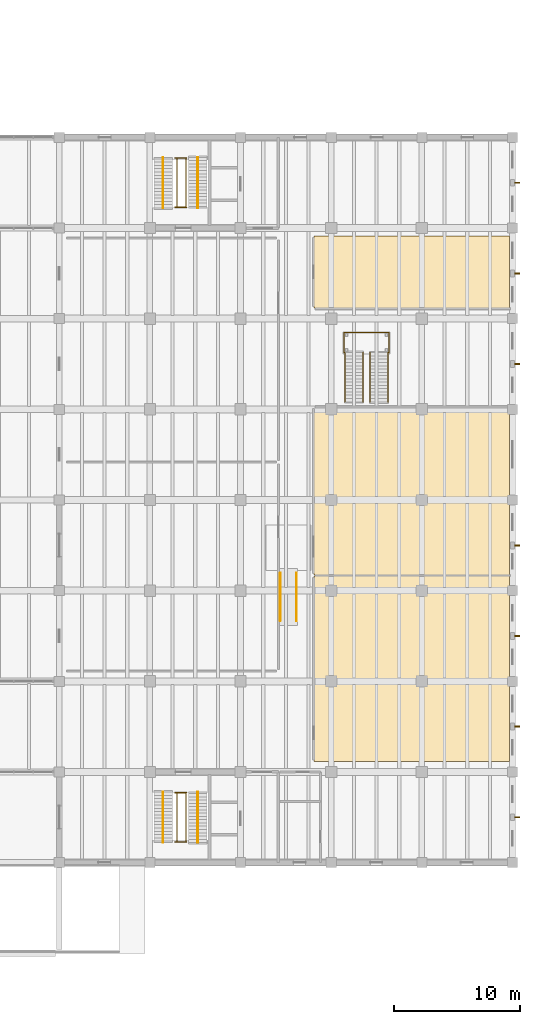
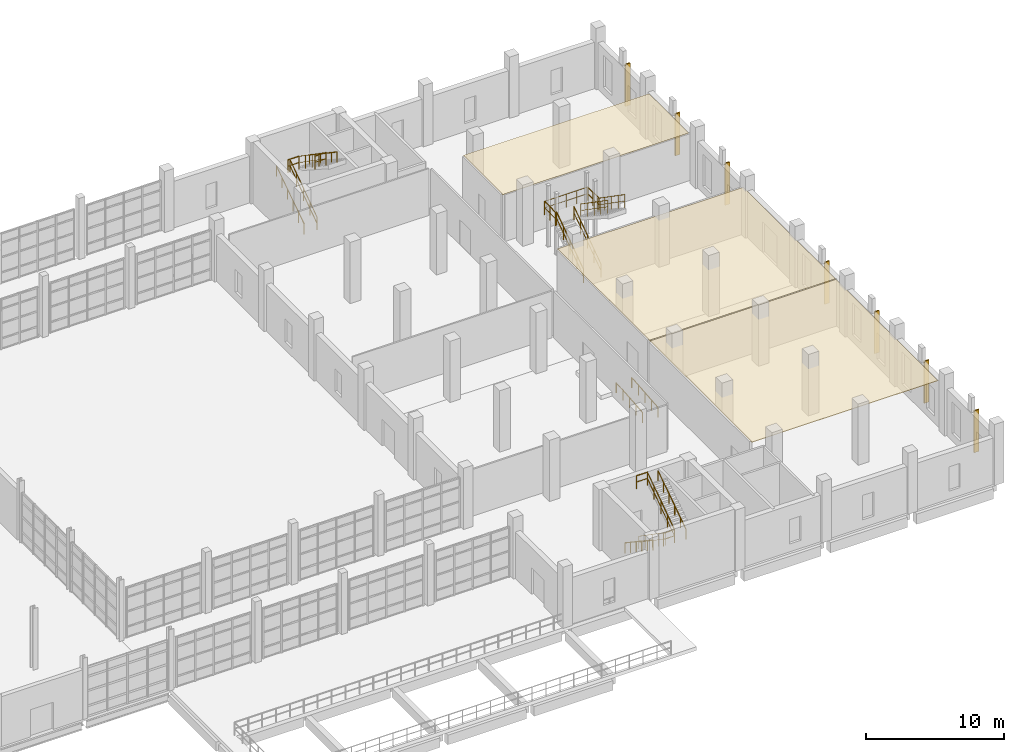
# One storey, part 78 of 79: 21 railings, 7 shading devices, 3 coverings.
"""IFC4 building model written with IfcOpenShell, lengths in metres."""

from ifc_helpers import new_model, si_unit, direction, frame, origin, origin_2d, place, context, subcontext, project, spatial, polyline, rectangle, circle, outline, extrude, material, layer, layer_set, material_profile, profile_set, type_object, element, save


model = new_model("IFC4")

# Units and contexts
model_context = context("Model", 3, precision=1e-05, world=origin(), true_north=direction((0.0, 1.0)))
body_context = subcontext(model_context, "Body", "Model", "MODEL_VIEW")
ifc_project = project(units=[si_unit("LENGTHUNIT", "METRE"), si_unit("AREAUNIT", "SQUARE_METRE"), si_unit("VOLUMEUNIT", "CUBIC_METRE"), si_unit("PLANEANGLEUNIT", "RADIAN"), si_unit("MASSUNIT", "GRAM", prefix="KILO")], contexts=[model_context])

# Site, building, storey
site_placement = place(None, origin())
site = spatial("IfcSite", under=ifc_project, at=site_placement, CompositionType="ELEMENT")
building_placement = place(site_placement, origin())
building = spatial("IfcBuilding", under=site, at=building_placement, Name="Qiaolan Assembly House", CompositionType="ELEMENT")
storey_placement = place(building_placement, origin())
storey = spatial("IfcBuildingStorey", under=building, at=storey_placement, Name="L00", CompositionType="ELEMENT", Elevation=0.0)

# Coverings
ifc_material_1 = material(Name="Gypsum plasterboard acoustic ceiling")
ifc_layer_1 = layer(ifc_material_1, 0.044921875)
ifc_layer_set_1 = layer_set([ifc_layer_1], Name="Gypsum plasterboard acoustic ceiling")
covering_type_1 = type_object("IfcCoveringType", Name="COV-CEIL-ACOUSTIC", PredefinedType="CEILING", material=ifc_layer_set_1)
covering_1_placement = place(storey_placement, frame((0.0, 0.0, 4.074951171875)))
element("IfcCovering", 1, at=covering_1_placement, inside=storey, type_object=covering_type_1, Name="Coffer ceiling Municipal Public Archive Search & Reference Room", PredefinedType="CEILING", context=body_context, shape_type="SweptSolid", body=[
    extrude(outline(polyline([(157.0400390625, 36.840087890625), (172.550048828125, 36.840087890625), (172.550048828125, 51.56005859375), (157.0400390625, 51.56005859375), (157.0400390625, 36.840087890625)])), origin(), (0.0, 0.0, 1.0), 0.045166015625),
])
covering_2_placement = place(storey_placement, frame((0.0, 0.0, 4.074951171875)))
element("IfcCovering", 2, at=covering_2_placement, inside=storey, type_object=covering_type_1, Name="Coffer ceiling Cataloguing, Acquisition & Bindery Workshop", PredefinedType="CEILING", context=body_context, shape_type="SweptSolid", body=[
    extrude(outline(polyline([(157.0400390625, 72.840087890625), (172.550048828125, 72.840087890625), (172.550048828125, 78.56005859375), (157.0400390625, 78.56005859375), (157.0400390625, 72.840087890625)])), origin(), (0.0, 0.0, 1.0), 0.045166015625),
])
ifc_material_2 = material(Name="Acoustic oak panelling")
ifc_layer_2 = layer(ifc_material_2, 0.06396484375)
ifc_layer_set_2 = layer_set([ifc_layer_2], Name="Acoustic oak panelling")
covering_type_2 = type_object("IfcCoveringType", Name="COV-CEIL-COFFERED", PredefinedType="CEILING", material=ifc_layer_set_2)
covering_3_placement = place(storey_placement, frame((0.0, 0.0, 4.055908203125)))
element("IfcCovering", 3, at=covering_3_placement, inside=storey, type_object=covering_type_2, Name="Coffer ceiling Civic Gazetteer & Periodicals Reading Hall", PredefinedType="CEILING", context=body_context, shape_type="SweptSolid", body=[
    extrude(outline(polyline([(157.0400390625, 51.639892578125), (172.550048828125, 51.639892578125), (172.550048828125, 64.9599609375), (157.0400390625, 64.9599609375), (157.0400390625, 51.639892578125)])), origin(), (0.0, 0.0, 1.0), 0.064208984375),
])

# Railings
ifc_material_3 = material(Name="Anodised bronze aluminium", Category="aluminium")
railing_type_1 = type_object("IfcRailingType", Name="RAL-GUARD-GALLERY-1200", PredefinedType="BALUSTRADE", material=ifc_material_3)
for number, where, name in (
    (4, (159.47998046875, 65.39990234375, 0.0), "GR-02 library flight guard FLT-ST-LB1-1-L"),
    (5, (160.919921875, 65.39990234375, 0.0), "GR-02 library flight guard FLT-ST-LB1-1-R"),
):
    element("IfcRailing", number, at=place(storey_placement, frame(where)), inside=storey, type_object=railing_type_1, Name=name, PredefinedType="BALUSTRADE", context=body_context, shape_type="SweptSolid", body=[
        extrude(circle(Radius=0.02392578125, at=origin_2d()), frame((0.0, 0.0, 1.17578125), z_axis=(0.0, 0.822207014252, 0.569188567801), x_axis=(-1.0, 0.0, 0.0)), (0.0, 0.0, 1.0), 4.743408203125),
        extrude(circle(Radius=0.01611328125, at=origin_2d()), frame((0.0, 0.0, 0.60009765625), z_axis=(0.0, 0.822207014252, 0.569188567801), x_axis=(-1.0, 0.0, 0.0)), (0.0, 0.0, 1.0), 4.743408203125),
        extrude(circle(Radius=0.02099609375, at=origin_2d()), origin(), (0.0, 0.0, 1.0), 1.15185546875),
        extrude(circle(Radius=0.02099609375, at=origin_2d()), frame((0.0, 0.97509765625, 0.675048828125)), (0.0, 0.0, 1.0), 1.15185546875),
        extrude(circle(Radius=0.02099609375, at=origin_2d()), frame((0.0, 1.9501953125, 1.35009765625)), (0.0, 0.0, 1.0), 1.15185546875),
        extrude(circle(Radius=0.02099609375, at=origin_2d()), frame((0.0, 2.925048828125, 2.02490234375)), (0.0, 0.0, 1.0), 1.15185546875),
        extrude(circle(Radius=0.02099609375, at=origin_2d()), frame((0.0, 3.900146484375, 2.699951171875)), (0.0, 0.0, 1.0), 1.15185546875),
    ])
for number, where, name in (
    (6, (161.47998046875, 69.300048828125, 2.699951171875), "GR-02 library flight guard FLT-ST-LB1-2-L"),
    (7, (162.919921875, 69.300048828125, 2.699951171875), "GR-02 library flight guard FLT-ST-LB1-2-R"),
):
    element("IfcRailing", number, at=place(storey_placement, frame(where)), inside=storey, type_object=railing_type_1, Name=name, PredefinedType="BALUSTRADE", context=body_context, shape_type="SweptSolid", body=[
        extrude(circle(Radius=0.02392578125, at=origin_2d()), frame((0.0, 0.0, 1.17578125), z_axis=(0.0, -0.822207014252, 0.569188567801), x_axis=(1.0, 0.0, 0.0)), (0.0, 0.0, 1.0), 4.743408203125),
        extrude(circle(Radius=0.01611328125, at=origin_2d()), frame((0.0, 0.0, 0.60009765625), z_axis=(0.0, -0.822207014252, 0.569188567801), x_axis=(1.0, 0.0, 0.0)), (0.0, 0.0, 1.0), 4.743408203125),
        extrude(circle(Radius=0.02099609375, at=origin_2d()), origin(), (0.0, 0.0, 1.0), 1.15185546875),
        extrude(circle(Radius=0.02099609375, at=origin_2d()), frame((0.0, -0.97509765625, 0.675048828125)), (0.0, 0.0, 1.0), 1.15185546875),
        extrude(circle(Radius=0.02099609375, at=origin_2d()), frame((0.0, -1.9501953125, 1.35009765625)), (0.0, 0.0, 1.0), 1.15185546875),
        extrude(circle(Radius=0.02099609375, at=origin_2d()), frame((0.0, -2.925048828125, 2.02490234375)), (0.0, 0.0, 1.0), 1.15185546875),
        extrude(circle(Radius=0.02099609375, at=origin_2d()), frame((0.0, -3.900146484375, 2.699951171875)), (0.0, 0.0, 1.0), 1.15185546875),
    ])
railing_1_placement = place(storey_placement, frame((159.39990234375, 69.300048828125, 2.699951171875)))
element("IfcRailing", 8, at=railing_1_placement, inside=storey, type_object=railing_type_1, Name="GR-02 library mid-landing guard ST-LB1 seg 1", PredefinedType="BALUSTRADE", context=body_context, shape_type="SweptSolid", body=[
    extrude(circle(Radius=0.02392578125, at=origin_2d()), frame((0.0, 0.0, 1.17578125), z_axis=(0.0, 1.0, 0.0), x_axis=(-1.0, 0.0, 0.0)), (0.0, 0.0, 1.0), 1.599853515625),
    extrude(circle(Radius=0.01611328125, at=origin_2d()), frame((0.0, 0.0, 0.60009765625), z_axis=(0.0, 1.0, 0.0), x_axis=(-1.0, 0.0, 0.0)), (0.0, 0.0, 1.0), 1.599853515625),
    extrude(circle(Radius=0.02099609375, at=origin_2d()), origin(), (0.0, 0.0, 1.0), 1.15185546875),
    extrude(circle(Radius=0.02099609375, at=origin_2d()), frame((0.0, 0.7998046875, 0.0)), (0.0, 0.0, 1.0), 1.15185546875),
    extrude(circle(Radius=0.02099609375, at=origin_2d()), frame((0.0, 1.599853515625, 0.0)), (0.0, 0.0, 1.0), 1.15185546875),
])
railing_2_placement = place(storey_placement, frame((159.39990234375, 70.89990234375, 2.699951171875)))
element("IfcRailing", 9, at=railing_2_placement, inside=storey, type_object=railing_type_1, Name="GR-02 library mid-landing guard ST-LB1 seg 2", PredefinedType="BALUSTRADE", context=body_context, shape_type="SweptSolid", body=[
    extrude(circle(Radius=0.02392578125, at=origin_2d()), frame((0.0, 0.0, 1.17578125), z_axis=(1.0, 0.0, 0.0), x_axis=(0.0, 1.0, 0.0)), (0.0, 0.0, 1.0), 3.60009765625),
    extrude(circle(Radius=0.01611328125, at=origin_2d()), frame((0.0, 0.0, 0.60009765625), z_axis=(1.0, 0.0, 0.0), x_axis=(0.0, 1.0, 0.0)), (0.0, 0.0, 1.0), 3.60009765625),
    extrude(circle(Radius=0.02099609375, at=origin_2d()), origin(), (0.0, 0.0, 1.0), 1.15185546875),
    extrude(circle(Radius=0.02099609375, at=origin_2d()), frame((0.89990234375, 0.0, 0.0)), (0.0, 0.0, 1.0), 1.15185546875),
    extrude(circle(Radius=0.02099609375, at=origin_2d()), frame((1.800048828125, 0.0, 0.0)), (0.0, 0.0, 1.0), 1.15185546875),
    extrude(circle(Radius=0.02099609375, at=origin_2d()), frame((2.7001953125, 0.0, 0.0)), (0.0, 0.0, 1.0), 1.15185546875),
    extrude(circle(Radius=0.02099609375, at=origin_2d()), frame((3.60009765625, 0.0, 0.0)), (0.0, 0.0, 1.0), 1.15185546875),
])
railing_3_placement = place(storey_placement, frame((163.0, 70.89990234375, 2.699951171875)))
element("IfcRailing", 10, at=railing_3_placement, inside=storey, type_object=railing_type_1, Name="GR-02 library mid-landing guard ST-LB1 seg 3", PredefinedType="BALUSTRADE", context=body_context, shape_type="SweptSolid", body=[
    extrude(circle(Radius=0.02392578125, at=origin_2d()), frame((0.0, 0.0, 1.17578125), z_axis=(0.0, -1.0, 0.0), x_axis=(1.0, 0.0, 0.0)), (0.0, 0.0, 1.0), 1.599853515625),
    extrude(circle(Radius=0.01611328125, at=origin_2d()), frame((0.0, 0.0, 0.60009765625), z_axis=(0.0, -1.0, 0.0), x_axis=(1.0, 0.0, 0.0)), (0.0, 0.0, 1.0), 1.599853515625),
    extrude(circle(Radius=0.02099609375, at=origin_2d()), origin(), (0.0, 0.0, 1.0), 1.15185546875),
    extrude(circle(Radius=0.02099609375, at=origin_2d()), frame((0.0, -0.7998046875, 0.0)), (0.0, 0.0, 1.0), 1.15185546875),
    extrude(circle(Radius=0.02099609375, at=origin_2d()), frame((0.0, -1.599853515625, 0.0)), (0.0, 0.0, 1.0), 1.15185546875),
])
railing_type_2 = type_object("IfcRailingType", Name="RAL-GUARD-STAIRWELL-1150", PredefinedType="GUARDRAIL", material=ifc_material_3)
railing_4_placement = place(storey_placement, frame((146.139892578125, 34.35009765625, 0.0)))
element("IfcRailing", 11, at=railing_4_placement, inside=storey, type_object=railing_type_2, Name="GR-01 stair inner-well guard FLT-CORE-E-L00-1", PredefinedType="GUARDRAIL", context=body_context, shape_type="SweptSolid", body=[
    extrude(circle(Radius=0.02392578125, at=origin_2d()), frame((0.0, 0.0, 1.1259765625), z_axis=(0.0, -0.822207014252, 0.569188567801), x_axis=(1.0, 0.0, 0.0)), (0.0, 0.0, 1.0), 4.743408203125),
    extrude(circle(Radius=0.01611328125, at=origin_2d()), frame((0.0, 0.0, 0.574951171875), z_axis=(0.0, -0.822207014252, 0.569188567801), x_axis=(1.0, 0.0, 0.0)), (0.0, 0.0, 1.0), 4.743408203125),
    extrude(circle(Radius=0.02099609375, at=origin_2d()), origin(), (0.0, 0.0, 1.0), 1.101806640625),
    extrude(circle(Radius=0.02099609375, at=origin_2d()), frame((0.0, -0.97509765625, 0.675048828125)), (0.0, 0.0, 1.0), 1.101806640625),
    extrude(circle(Radius=0.02099609375, at=origin_2d()), frame((0.0, -1.9501953125, 1.35009765625)), (0.0, 0.0, 1.0), 1.101806640625),
    extrude(circle(Radius=0.02099609375, at=origin_2d()), frame((0.0, -2.925048828125, 2.02490234375)), (0.0, 0.0, 1.0), 1.101806640625),
    extrude(circle(Radius=0.02099609375, at=origin_2d()), frame((0.0, -3.900146484375, 2.699951171875)), (0.0, 0.0, 1.0), 1.101806640625),
])
railing_5_placement = place(storey_placement, frame((146.8798828125, 30.449951171875, 2.699951171875)))
element("IfcRailing", 12, at=railing_5_placement, inside=storey, type_object=railing_type_2, Name="GR-01 stair inner-well guard FLT-CORE-E-L00-2", PredefinedType="GUARDRAIL", context=body_context, shape_type="SweptSolid", body=[
    extrude(circle(Radius=0.02392578125, at=origin_2d()), frame((0.0, 0.0, 1.1259765625), z_axis=(0.0, 0.822207014252, 0.569188567801), x_axis=(-1.0, 0.0, 0.0)), (0.0, 0.0, 1.0), 4.743408203125),
    extrude(circle(Radius=0.01611328125, at=origin_2d()), frame((0.0, 0.0, 0.574951171875), z_axis=(0.0, 0.822207014252, 0.569188567801), x_axis=(-1.0, 0.0, 0.0)), (0.0, 0.0, 1.0), 4.743408203125),
    extrude(circle(Radius=0.02099609375, at=origin_2d()), origin(), (0.0, 0.0, 1.0), 1.101806640625),
    extrude(circle(Radius=0.02099609375, at=origin_2d()), frame((0.0, 0.97509765625, 0.675048828125)), (0.0, 0.0, 1.0), 1.101806640625),
    extrude(circle(Radius=0.02099609375, at=origin_2d()), frame((0.0, 1.9501953125, 1.35009765625)), (0.0, 0.0, 1.0), 1.101806640625),
    extrude(circle(Radius=0.02099609375, at=origin_2d()), frame((0.0, 2.925048828125, 2.02490234375)), (0.0, 0.0, 1.0), 1.101806640625),
    extrude(circle(Radius=0.02099609375, at=origin_2d()), frame((0.0, 3.900146484375, 2.699951171875)), (0.0, 0.0, 1.0), 1.101806640625),
])
for number, where, name in (
    (13, (145.97998046875, 30.449951171875, 2.699951171875), "GR-01 stairwell landing guard CORE-E L00-1"),
    (14, (145.97998046875, 34.35009765625, 5.39990234375), "GR-01 stairwell landing guard CORE-E L00-2"),
):
    element("IfcRailing", number, at=place(storey_placement, frame(where)), inside=storey, type_object=railing_type_2, Name=name, PredefinedType="GUARDRAIL", context=body_context, shape_type="SweptSolid", body=[
        extrude(circle(Radius=0.02392578125, at=origin_2d()), frame((0.0, 0.0, 1.1259765625), z_axis=(1.0, 0.0, 0.0), x_axis=(0.0, 1.0, 0.0)), (0.0, 0.0, 1.0), 0.919921875),
        extrude(circle(Radius=0.01611328125, at=origin_2d()), frame((0.0, 0.0, 0.574951171875), z_axis=(1.0, 0.0, 0.0), x_axis=(0.0, 1.0, 0.0)), (0.0, 0.0, 1.0), 0.919921875),
        extrude(circle(Radius=0.02099609375, at=origin_2d()), origin(), (0.0, 0.0, 1.0), 1.101806640625),
        extrude(circle(Radius=0.02099609375, at=origin_2d()), frame((0.919921875, 0.0, 0.0)), (0.0, 0.0, 1.0), 1.101806640625),
    ])
railing_6_placement = place(storey_placement, frame((146.139892578125, 80.85009765625, 0.0)))
element("IfcRailing", 15, at=railing_6_placement, inside=storey, type_object=railing_type_2, Name="GR-01 stair inner-well guard FLT-CORE-F-L00-1", PredefinedType="GUARDRAIL", context=body_context, shape_type="SweptSolid", body=[
    extrude(circle(Radius=0.02392578125, at=origin_2d()), frame((0.0, 0.0, 1.1259765625), z_axis=(0.0, 0.8221903387, 0.569212655295), x_axis=(-1.0, 0.0, 0.0)), (0.0, 0.0, 1.0), 4.743408203125),
    extrude(circle(Radius=0.01611328125, at=origin_2d()), frame((0.0, 0.0, 0.574951171875), z_axis=(0.0, 0.8221903387, 0.569212655295), x_axis=(-1.0, 0.0, 0.0)), (0.0, 0.0, 1.0), 4.743408203125),
    extrude(circle(Radius=0.02099609375, at=origin_2d()), origin(), (0.0, 0.0, 1.0), 1.101806640625),
    extrude(circle(Radius=0.02099609375, at=origin_2d()), frame((0.0, 0.97509765625, 0.675048828125)), (0.0, 0.0, 1.0), 1.101806640625),
    extrude(circle(Radius=0.02099609375, at=origin_2d()), frame((0.0, 1.949951171875, 1.35009765625)), (0.0, 0.0, 1.0), 1.101806640625),
    extrude(circle(Radius=0.02099609375, at=origin_2d()), frame((0.0, 2.9248046875, 2.02490234375)), (0.0, 0.0, 1.0), 1.101806640625),
    extrude(circle(Radius=0.02099609375, at=origin_2d()), frame((0.0, 3.89990234375, 2.699951171875)), (0.0, 0.0, 1.0), 1.101806640625),
])
railing_7_placement = place(storey_placement, frame((146.8798828125, 84.75, 2.699951171875)))
element("IfcRailing", 16, at=railing_7_placement, inside=storey, type_object=railing_type_2, Name="GR-01 stair inner-well guard FLT-CORE-F-L00-2", PredefinedType="GUARDRAIL", context=body_context, shape_type="SweptSolid", body=[
    extrude(circle(Radius=0.02392578125, at=origin_2d()), frame((0.0, 0.0, 1.1259765625), z_axis=(0.0, -0.8221903387, 0.569212655295), x_axis=(1.0, 0.0, 0.0)), (0.0, 0.0, 1.0), 4.743408203125),
    extrude(circle(Radius=0.01611328125, at=origin_2d()), frame((0.0, 0.0, 0.574951171875), z_axis=(0.0, -0.8221903387, 0.569212655295), x_axis=(1.0, 0.0, 0.0)), (0.0, 0.0, 1.0), 4.743408203125),
    extrude(circle(Radius=0.02099609375, at=origin_2d()), origin(), (0.0, 0.0, 1.0), 1.101806640625),
    extrude(circle(Radius=0.02099609375, at=origin_2d()), frame((0.0, -0.97509765625, 0.675048828125)), (0.0, 0.0, 1.0), 1.101806640625),
    extrude(circle(Radius=0.02099609375, at=origin_2d()), frame((0.0, -1.949951171875, 1.35009765625)), (0.0, 0.0, 1.0), 1.101806640625),
    extrude(circle(Radius=0.02099609375, at=origin_2d()), frame((0.0, -2.9248046875, 2.02490234375)), (0.0, 0.0, 1.0), 1.101806640625),
    extrude(circle(Radius=0.02099609375, at=origin_2d()), frame((0.0, -3.89990234375, 2.699951171875)), (0.0, 0.0, 1.0), 1.101806640625),
])
for number, where, name in (
    (17, (145.97998046875, 84.75, 2.699951171875), "GR-01 stairwell landing guard CORE-F L00-1"),
    (18, (145.97998046875, 80.85009765625, 5.39990234375), "GR-01 stairwell landing guard CORE-F L00-2"),
):
    element("IfcRailing", number, at=place(storey_placement, frame(where)), inside=storey, type_object=railing_type_2, Name=name, PredefinedType="GUARDRAIL", context=body_context, shape_type="SweptSolid", body=[
        extrude(circle(Radius=0.02392578125, at=origin_2d()), frame((0.0, 0.0, 1.1259765625), z_axis=(1.0, 0.0, 0.0), x_axis=(0.0, 1.0, 0.0)), (0.0, 0.0, 1.0), 0.919921875),
        extrude(circle(Radius=0.01611328125, at=origin_2d()), frame((0.0, 0.0, 0.574951171875), z_axis=(1.0, 0.0, 0.0), x_axis=(0.0, 1.0, 0.0)), (0.0, 0.0, 1.0), 0.919921875),
        extrude(circle(Radius=0.02099609375, at=origin_2d()), origin(), (0.0, 0.0, 1.0), 1.101806640625),
        extrude(circle(Radius=0.02099609375, at=origin_2d()), frame((0.919921875, 0.0, 0.0)), (0.0, 0.0, 1.0), 1.101806640625),
    ])
railing_type_3 = type_object("IfcRailingType", Name="RAL-HANDRAIL-RAMP-900", PredefinedType="HANDRAIL", material=ifc_material_3)
for number, where, name in (
    (19, (154.35498046875, 48.0, 0.028076171875), "HR-02 accessible dais ramp handrail RMP-ACC-L1-L"),
    (20, (155.64501953125, 48.0, 0.028076171875), "HR-02 accessible dais ramp handrail RMP-ACC-L1-R"),
):
    element("IfcRailing", number, at=place(storey_placement, frame(where)), inside=storey, type_object=railing_type_3, Name=name, PredefinedType="HANDRAIL", context=body_context, shape_type="SweptSolid", body=[
        extrude(circle(Radius=0.02392578125, at=origin_2d()), frame((0.0, 0.0, 0.8759765625), z_axis=(0.0, 0.996816296613, 0.079732495296), x_axis=(-1.0, 0.0, 0.0)), (0.0, 0.0, 1.0), 3.812255859375),
        extrude(circle(Radius=0.02099609375, at=origin_2d()), origin(), (0.0, 0.0, 1.0), 0.851806640625),
        extrude(circle(Radius=0.02099609375, at=origin_2d()), frame((0.0, 0.949951171875, 0.075927734375)), (0.0, 0.0, 1.0), 0.851806640625),
        extrude(circle(Radius=0.02099609375, at=origin_2d()), frame((0.0, 1.89990234375, 0.15185546875)), (0.0, 0.0, 1.0), 0.851806640625),
        extrude(circle(Radius=0.02099609375, at=origin_2d()), frame((0.0, 2.85009765625, 0.22802734375)), (0.0, 0.0, 1.0), 0.851806640625),
        extrude(circle(Radius=0.02099609375, at=origin_2d()), frame((0.0, 3.800048828125, 0.303955078125)), (0.0, 0.0, 1.0), 0.851806640625),
    ])
railing_type_4 = type_object("IfcRailingType", Name="RAL-HANDRAIL-STAIR-920", PredefinedType="HANDRAIL", material=ifc_material_3)
railing_8_placement = place(storey_placement, frame((145.050048828125, 34.409912109375, 0.0)))
element("IfcRailing", 21, at=railing_8_placement, inside=storey, type_object=railing_type_4, Name="HR-01 stair handrail FLT-CORE-E-L00-1", PredefinedType="HANDRAIL", context=body_context, shape_type="SweptSolid", body=[
    extrude(circle(Radius=0.02392578125, at=origin_2d()), frame((0.0, 0.0, 0.89599609375), z_axis=(0.0, -0.830145127286, 0.557547368071), x_axis=(1.0, 0.0, 0.0)), (0.0, 0.0, 1.0), 4.842529296875),
    extrude(circle(Radius=0.02099609375, at=origin_2d()), origin(), (0.0, 0.0, 1.0), 0.871826171875),
    extrude(circle(Radius=0.02099609375, at=origin_2d()), frame((0.0, -0.803955078125, 0.5400390625)), (0.0, 0.0, 1.0), 0.871826171875),
    extrude(circle(Radius=0.02099609375, at=origin_2d()), frame((0.0, -1.60791015625, 1.080078125)), (0.0, 0.0, 1.0), 0.871826171875),
    extrude(circle(Radius=0.02099609375, at=origin_2d()), frame((0.0, -2.412109375, 1.619873046875)), (0.0, 0.0, 1.0), 0.871826171875),
    extrude(circle(Radius=0.02099609375, at=origin_2d()), frame((0.0, -3.216064453125, 2.159912109375)), (0.0, 0.0, 1.0), 0.871826171875),
    extrude(circle(Radius=0.02099609375, at=origin_2d()), frame((0.0, -4.02001953125, 2.699951171875)), (0.0, 0.0, 1.0), 0.871826171875),
])
for number, where, name in (
    (22, (147.800048828125, 30.389892578125, 2.699951171875), "HR-01 stair handrail FLT-CORE-E-L00-2"),
    (23, (145.050048828125, 80.7900390625, 0.0), "HR-01 stair handrail FLT-CORE-F-L00-1"),
):
    element("IfcRailing", number, at=place(storey_placement, frame(where)), inside=storey, type_object=railing_type_4, Name=name, PredefinedType="HANDRAIL", context=body_context, shape_type="SweptSolid", body=[
        extrude(circle(Radius=0.02392578125, at=origin_2d()), frame((0.0, 0.0, 0.89599609375), z_axis=(0.0, 0.830145127286, 0.557547368071), x_axis=(-1.0, 0.0, 0.0)), (0.0, 0.0, 1.0), 4.842529296875),
        extrude(circle(Radius=0.02099609375, at=origin_2d()), origin(), (0.0, 0.0, 1.0), 0.871826171875),
        extrude(circle(Radius=0.02099609375, at=origin_2d()), frame((0.0, 0.803955078125, 0.5400390625)), (0.0, 0.0, 1.0), 0.871826171875),
        extrude(circle(Radius=0.02099609375, at=origin_2d()), frame((0.0, 1.60791015625, 1.080078125)), (0.0, 0.0, 1.0), 0.871826171875),
        extrude(circle(Radius=0.02099609375, at=origin_2d()), frame((0.0, 2.412109375, 1.619873046875)), (0.0, 0.0, 1.0), 0.871826171875),
        extrude(circle(Radius=0.02099609375, at=origin_2d()), frame((0.0, 3.216064453125, 2.159912109375)), (0.0, 0.0, 1.0), 0.871826171875),
        extrude(circle(Radius=0.02099609375, at=origin_2d()), frame((0.0, 4.02001953125, 2.699951171875)), (0.0, 0.0, 1.0), 0.871826171875),
    ])
railing_9_placement = place(storey_placement, frame((147.800048828125, 84.81005859375, 2.699951171875)))
element("IfcRailing", 24, at=railing_9_placement, inside=storey, type_object=railing_type_4, Name="HR-01 stair handrail FLT-CORE-F-L00-2", PredefinedType="HANDRAIL", context=body_context, shape_type="SweptSolid", body=[
    extrude(circle(Radius=0.02392578125, at=origin_2d()), frame((0.0, 0.0, 0.89599609375), z_axis=(0.0, -0.830145127286, 0.557547368071), x_axis=(1.0, 0.0, 0.0)), (0.0, 0.0, 1.0), 4.842529296875),
    extrude(circle(Radius=0.02099609375, at=origin_2d()), origin(), (0.0, 0.0, 1.0), 0.871826171875),
    extrude(circle(Radius=0.02099609375, at=origin_2d()), frame((0.0, -0.803955078125, 0.5400390625)), (0.0, 0.0, 1.0), 0.871826171875),
    extrude(circle(Radius=0.02099609375, at=origin_2d()), frame((0.0, -1.60791015625, 1.080078125)), (0.0, 0.0, 1.0), 0.871826171875),
    extrude(circle(Radius=0.02099609375, at=origin_2d()), frame((0.0, -2.412109375, 1.619873046875)), (0.0, 0.0, 1.0), 0.871826171875),
    extrude(circle(Radius=0.02099609375, at=origin_2d()), frame((0.0, -3.216064453125, 2.159912109375)), (0.0, 0.0, 1.0), 0.871826171875),
    extrude(circle(Radius=0.02099609375, at=origin_2d()), frame((0.0, -4.02001953125, 2.699951171875)), (0.0, 0.0, 1.0), 0.871826171875),
])

# Shading devices
ifc_material_4 = material(Name="Honed pale limestone", Category="masonry")
ifc_material_profile = material_profile(ifc_material_4, rectangle(XDim=0.110107421875, YDim=0.39990234375, at=origin_2d()), Name="FIN 110x400")
ifc_profile_set = profile_set([ifc_material_profile], Name="Honed pale limestone")
shading_device_type = type_object("IfcShadingDeviceType", Name="SHD-FIN-LIB-400", PredefinedType="JALOUSIE", material=ifc_profile_set)
for number, where, z_axis, x_axis, name in (
    (25, (173.1875, 32.39990234375, 0.300048828125), (0.0, 0.0, 1.0), (0.0, 1.0, 0.0), "SH-03 library east stone fin L00-1"),
    (26, (173.1875, 39.60009765625, 0.300048828125), (0.0, 0.0, 1.0), (0.0, 1.0, 0.0), "SH-03 library east stone fin L00-2"),
    (27, (173.1875, 46.800048828125, 0.300048828125), (0.0, 0.0, 1.0), (0.0, 1.0, 0.0), "SH-03 library east stone fin L00-3"),
    (28, (173.1875, 54.0, 0.300048828125), (0.0, 0.0, 1.0), (0.0, 1.0, 0.0), "SH-03 library east stone fin L00-4"),
    (29, (173.1875, 68.39990234375, 0.300048828125), (0.0, 0.0, 1.0), (0.0, 1.0, 0.0), "SH-03 library east stone fin L00-6"),
    (30, (173.1875, 75.60009765625, 0.300048828125), (0.0, 0.0, 1.0), (0.0, 1.0, 0.0), "SH-03 library east stone fin L00-7"),
    (31, (173.1875, 82.800048828125, 0.300048828125), (0.0, 0.0, 1.0), (0.0, 1.0, 0.0), "SH-03 library east stone fin L00-8"),
):
    element("IfcShadingDevice", number, at=place(storey_placement, frame(where, z_axis=z_axis, x_axis=x_axis)), inside=storey, type_object=shading_device_type, Name=name, PredefinedType="JALOUSIE", context=body_context, shape_type="SweptSolid", body=[
        extrude(rectangle(XDim=0.110107421875, YDim=0.39990234375, at=origin_2d()), origin(), (0.0, 0.0, 1.0), 3.699951171875),
    ])

save(model, "model.ifc")
